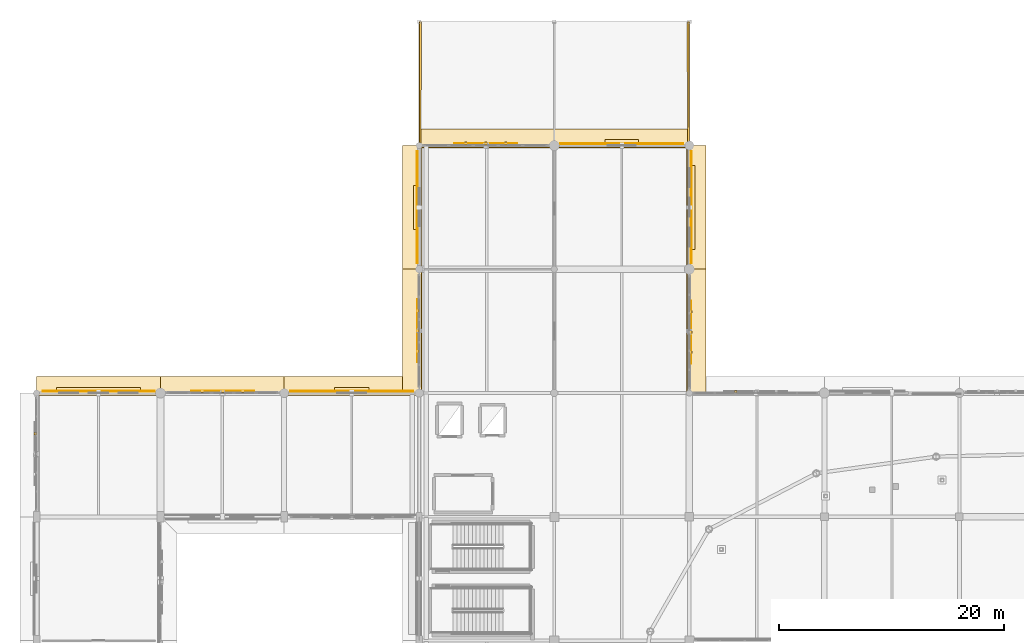
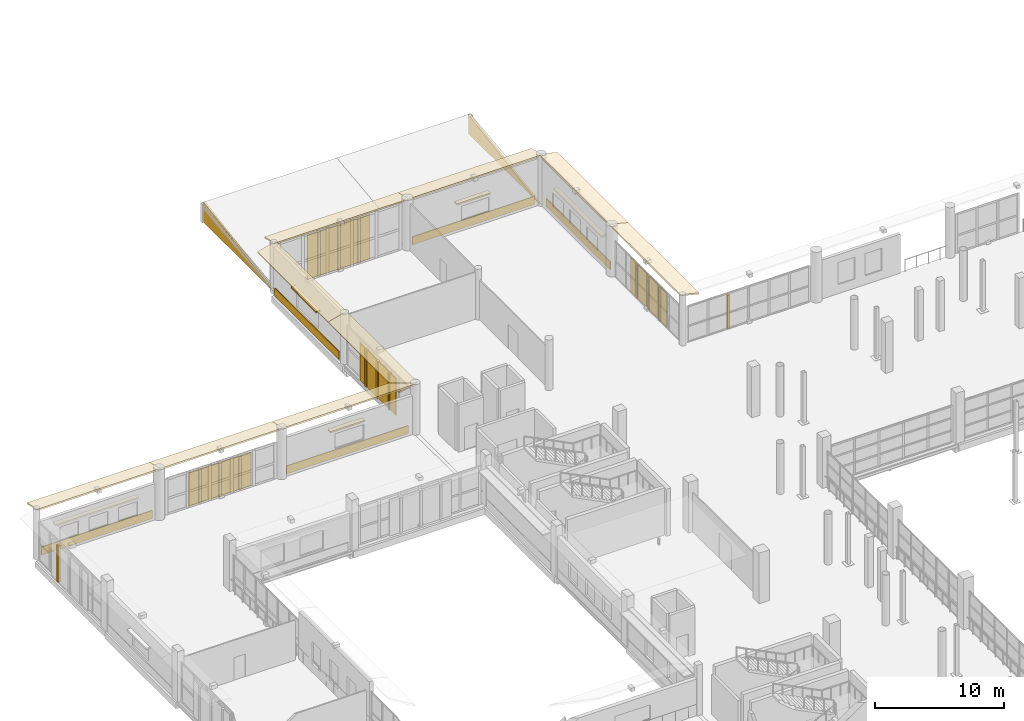
# One storey, part 127 of 143: 35 coverings, 4 shading devices.
"""IFC4 building model written with IfcOpenShell, lengths in metres."""

from ifc_helpers import new_model, si_unit, direction, frame, origin, origin_2d, place, context, subcontext, project, spatial, polyline, rectangle, outline, extrude, material, layer, layer_set, type_object, element, save


model = new_model("IFC4")

# Units and contexts
model_context = context("Model", 3, precision=1e-05, world=origin(), true_north=direction((0.0, 1.0)))
body_context = subcontext(model_context, "Body", "Model", "MODEL_VIEW")
ifc_project = project(units=[si_unit("LENGTHUNIT", "METRE"), si_unit("AREAUNIT", "SQUARE_METRE"), si_unit("VOLUMEUNIT", "CUBIC_METRE"), si_unit("PLANEANGLEUNIT", "RADIAN"), si_unit("MASSUNIT", "GRAM", prefix="KILO")], contexts=[model_context])

# Site, building, storey
site_placement = place(None, origin())
site = spatial("IfcSite", under=ifc_project, at=site_placement, CompositionType="ELEMENT")
building_placement = place(site_placement, origin())
building = spatial("IfcBuilding", under=site, at=building_placement, Name="Luwafu Chhajja Arena", CompositionType="ELEMENT")
storey_placement = place(building_placement, frame((0.0, 0.0, 5.39990234375)))
storey = spatial("IfcBuildingStorey", under=building, at=storey_placement, Name="L01", CompositionType="ELEMENT", Elevation=5.39990234375)

# Coverings
ifc_material_1 = material(Name="Red laterite sandstone cladding", Category="masonry")
ifc_layer_1 = layer(ifc_material_1, 0.074951171875, Name="Red laterite sandstone cladding")
ifc_layer_set_1 = layer_set([ifc_layer_1], Name="Red laterite sandstone cladding")
covering_type = type_object("IfcCoveringType", Name="Dressed Red-Laterite Sandstone Cladding", PredefinedType="CLADDING", material=ifc_layer_set_1)
covering_1_placement = place(storey_placement, frame((34.0, 121.0, 0.0), z_axis=(-0.99976590293, 0.0, 0.021636527854), x_axis=(0.0, 1.0, 0.0)))
element("IfcCovering", 1, at=covering_1_placement, inside=storey, type_object=covering_type, Name="L01 Cloister End Gable Cladding WW", PredefinedType="CLADDING", context=body_context, shape_type="SweptSolid", body=[
    extrude(outline(polyline([(0.0, 0.0), (11.0, 0.0), (11.0, -1.8505308601013986), (0.0, 0.0)])), origin(), (0.0, 0.0, -1.0), 0.159912109375),
])
covering_2_placement = place(storey_placement, frame((58.0, 121.0, 0.0), z_axis=(0.99976590293, 0.0, 0.021636527854), x_axis=(0.0, 1.0, 0.0)))
element("IfcCovering", 2, at=covering_2_placement, inside=storey, type_object=covering_type, Name="L01 Cloister End Gable Cladding WE", PredefinedType="CLADDING", context=body_context, shape_type="SweptSolid", body=[
    extrude(outline(polyline([(0.0, 0.0), (11.0, 0.0), (11.0, 1.8505308601013986), (0.0, 0.0)])), origin(), (0.0, 0.0, -1.0), 0.159912109375),
])
covering_3_placement = place(storey_placement, frame((0.0, 98.800048828125, 4.760009765625), z_axis=(0.0, 0.242502450825, 0.970150793096), x_axis=(1.0, 0.0, 0.0)))
element("IfcCovering", 3, at=covering_3_placement, inside=storey, type_object=covering_type, Name="L01 Continuous Sloped Sandstone Chhajja Eave 0070", PredefinedType="CLADDING", context=body_context, shape_type="SweptSolid", body=[
    extrude(outline(polyline([(0.0, 0.0), (11.0, 0.0), (11.0, 1.731619097341133), (0.0, 1.731619097341133), (0.0, 0.0)])), origin(), (0.0, 0.0, -1.0), 0.1298828125),
])
covering_4_placement = place(storey_placement, frame((5.5, 99.172119140625, 0.0), z_axis=(0.0, 0.0, 1.0), x_axis=(1.0, 0.0, 0.0)))
element("IfcCovering", 4, at=covering_4_placement, inside=storey, type_object=covering_type, Name="L01 Red-Laterite Sandstone Plinth Cladding 010", PredefinedType="CLADDING", context=body_context, shape_type="SweptSolid", body=[
    extrude(rectangle(XDim=9.9599609375, YDim=0.0849609375, at=origin_2d()), origin(), (0.0, 0.0, 1.0), 0.760009765625),
])
covering_5_placement = place(storey_placement, frame((5.5, 99.300048828125, 2.330078125), z_axis=(0.0, 0.0, 1.0), x_axis=(1.0, 0.0, 0.0)))
element("IfcCovering", 5, at=covering_5_placement, inside=storey, type_object=covering_type, Name="L01 Mughal Sandstone Window Chhajja Hood 0010", PredefinedType="CLADDING", context=body_context, shape_type="SweptSolid", body=[
    extrude(rectangle(XDim=7.47998046875, YDim=0.419921875, at=origin_2d()), origin(), (0.0, 0.0, 1.0), 0.139892578125),
])
covering_6_placement = place(storey_placement, frame((-0.110107421875, 95.37939453125, 0.000244140625), z_axis=(0.0, 0.0, 1.0), x_axis=(0.0, 1.0, 0.0)))
element("IfcCovering", 6, at=covering_6_placement, inside=storey, type_object=covering_type, Name="L01 Sandstone Jali Mullion Fin 005", PredefinedType="CLADDING", context=body_context, shape_type="SweptSolid", body=[
    extrude(rectangle(XDim=0.219970703125, YDim=0.239990234375, at=origin_2d()), origin(), (0.0, 0.0, 1.0), 3.45654296875),
])
covering_7_placement = place(storey_placement, frame((11.0, 98.800048828125, 4.760009765625), z_axis=(0.0, 0.242502450825, 0.970150793096), x_axis=(1.0, 0.0, 0.0)))
element("IfcCovering", 7, at=covering_7_placement, inside=storey, type_object=covering_type, Name="L01 Continuous Sloped Sandstone Chhajja Eave 0077", PredefinedType="CLADDING", context=body_context, shape_type="SweptSolid", body=[
    extrude(outline(polyline([(0.0, 0.0), (11.0, 0.0), (11.0, 1.731619097341133), (0.0, 1.731619097341133), (0.0, 0.0)])), origin(), (0.0, 0.0, -1.0), 0.1298828125),
])
for number, where, z_axis, x_axis, name in (
    (8, (14.73291015625, 99.169921875, 0.000244140625), (0.0, 0.0, 1.0), (1.0, 0.0, 0.0), "L01 Sandstone Jali Mullion Fin 008"),
    (9, (16.52490234375, 99.169921875, 0.000244140625), (0.0, 0.0, 1.0), (1.0, 0.0, 0.0), "L01 Sandstone Jali Mullion Fin 008"),
    (10, (18.31689453125, 99.169921875, 0.000244140625), (0.0, 0.0, 1.0), (1.0, 0.0, 0.0), "L01 Sandstone Jali Mullion Fin 008"),
):
    element("IfcCovering", number, at=place(storey_placement, frame(where, z_axis=z_axis, x_axis=x_axis)), inside=storey, type_object=covering_type, Name=name, PredefinedType="CLADDING", context=body_context, shape_type="SweptSolid", body=[
        extrude(rectangle(XDim=0.219970703125, YDim=0.239990234375, at=origin_2d()), origin(), (0.0, 0.0, 1.0), 3.18994140625),
    ])
covering_8_placement = place(storey_placement, frame((22.0, 98.800048828125, 4.760009765625), z_axis=(0.0, 0.242502450825, 0.970150793096), x_axis=(1.0, 0.0, 0.0)))
element("IfcCovering", 11, at=covering_8_placement, inside=storey, type_object=covering_type, Name="L01 Continuous Sloped Sandstone Chhajja Eave 0082", PredefinedType="CLADDING", context=body_context, shape_type="SweptSolid", body=[
    extrude(outline(polyline([(0.0, 0.0), (12.0, 0.0), (12.0, 1.731619097341133), (0.0, 1.731619097341133), (0.0, 0.0)])), origin(), (0.0, 0.0, -1.0), 0.1298828125),
])
covering_9_placement = place(storey_placement, frame((28.0, 99.172119140625, 0.0), z_axis=(0.0, 0.0, 1.0), x_axis=(1.0, 0.0, 0.0)))
element("IfcCovering", 12, at=covering_9_placement, inside=storey, type_object=covering_type, Name="L01 Red-Laterite Sandstone Plinth Cladding 015", PredefinedType="CLADDING", context=body_context, shape_type="SweptSolid", body=[
    extrude(rectangle(XDim=10.9599609375, YDim=0.0849609375, at=origin_2d()), origin(), (0.0, 0.0, 1.0), 0.760009765625),
])
covering_10_placement = place(storey_placement, frame((28.0, 99.300048828125, 2.5302734375), z_axis=(0.0, 0.0, 1.0), x_axis=(1.0, 0.0, 0.0)))
element("IfcCovering", 13, at=covering_10_placement, inside=storey, type_object=covering_type, Name="L01 Mughal Sandstone Window Chhajja Hood 0015", PredefinedType="CLADDING", context=body_context, shape_type="SweptSolid", body=[
    extrude(rectangle(XDim=3.10009765625, YDim=0.419921875, at=origin_2d()), origin(), (0.0, 0.0, 1.0), 0.139892578125),
])
covering_11_placement = place(storey_placement, frame((34.199951171875, 99.0, 4.760009765625), z_axis=(-0.242502450825, 0.0, 0.970150793096), x_axis=(0.0, 1.0, 0.0)))
element("IfcCovering", 14, at=covering_11_placement, inside=storey, type_object=covering_type, Name="L01 Continuous Sloped Sandstone Chhajja Eave 0087", PredefinedType="CLADDING", context=body_context, shape_type="SweptSolid", body=[
    extrude(outline(polyline([(0.0, 0.0), (11.0, 0.0), (11.0, 1.731619097341133), (0.0, 1.731619097341133), (0.0, 0.0)])), origin(), (0.0, 0.0, -1.0), 0.1298828125),
])
for number, where, z_axis, x_axis, name in (
    (15, (33.8701171875, 102.73291015625, 0.0), (0.0, 0.0, 1.0), (0.0, 1.0, 0.0), "L01 Sandstone Jali Mullion Fin 010"),
    (16, (33.8701171875, 104.52490234375, 0.0), (0.0, 0.0, 1.0), (0.0, 1.0, 0.0), "L01 Sandstone Jali Mullion Fin 010"),
    (17, (33.8701171875, 106.31689453125, 0.0), (0.0, 0.0, 1.0), (0.0, 1.0, 0.0), "L01 Sandstone Jali Mullion Fin 010"),
):
    element("IfcCovering", number, at=place(storey_placement, frame(where, z_axis=z_axis, x_axis=x_axis)), inside=storey, type_object=covering_type, Name=name, PredefinedType="CLADDING", context=body_context, shape_type="SweptSolid", body=[
        extrude(rectangle(XDim=0.219970703125, YDim=0.239990234375, at=origin_2d()), origin(), (0.0, 0.0, 1.0), 3.519775390625),
    ])
covering_12_placement = place(storey_placement, frame((34.0, 120.800048828125, 4.760009765625), z_axis=(0.0, 0.242502450825, 0.970150793096), x_axis=(1.0, 0.0, 0.0)))
element("IfcCovering", 18, at=covering_12_placement, inside=storey, type_object=covering_type, Name="L01 Continuous Sloped Sandstone Chhajja Eave 0088", PredefinedType="CLADDING", context=body_context, shape_type="SweptSolid", body=[
    extrude(outline(polyline([(0.0, 0.0), (12.0, 0.0), (12.0, 1.731619097341133), (0.0, 1.731619097341133), (0.0, 0.0)])), origin(), (0.0, 0.0, -1.0), 0.1298828125),
])
for number, where, z_axis, x_axis, name in (
    (19, (38.12060546875, 121.169921875, 0.0), (0.0, 0.0, 1.0), (1.0, 0.0, 0.0), "L01 Sandstone Jali Mullion Fin 011"),
    (20, (39.91259765625, 121.169921875, 0.0), (0.0, 0.0, 1.0), (1.0, 0.0, 0.0), "L01 Sandstone Jali Mullion Fin 011"),
    (21, (41.70458984375, 121.169921875, 0.0), (0.0, 0.0, 1.0), (1.0, 0.0, 0.0), "L01 Sandstone Jali Mullion Fin 011"),
):
    element("IfcCovering", number, at=place(storey_placement, frame(where, z_axis=z_axis, x_axis=x_axis)), inside=storey, type_object=covering_type, Name=name, PredefinedType="CLADDING", context=body_context, shape_type="SweptSolid", body=[
        extrude(rectangle(XDim=0.219970703125, YDim=0.239990234375, at=origin_2d()), origin(), (0.0, 0.0, 1.0), 4.215087890625),
    ])
covering_13_placement = place(storey_placement, frame((34.199951171875, 110.0, 4.760009765625), z_axis=(-0.242502450825, 0.0, 0.970150793096), x_axis=(0.0, 1.0, 0.0)))
element("IfcCovering", 22, at=covering_13_placement, inside=storey, type_object=covering_type, Name="L01 Continuous Sloped Sandstone Chhajja Eave 0089", PredefinedType="CLADDING", context=body_context, shape_type="SweptSolid", body=[
    extrude(outline(polyline([(0.0, 0.0), (11.0, 0.0), (11.0, 1.731619097341133), (0.0, 1.731619097341133), (0.0, 0.0)])), origin(), (0.0, 0.0, -1.0), 0.1298828125),
])
covering_14_placement = place(storey_placement, frame((33.827880859375, 115.5, 0.0), z_axis=(0.0, 0.0, 1.0), x_axis=(0.0, 1.0, 0.0)))
element("IfcCovering", 23, at=covering_14_placement, inside=storey, type_object=covering_type, Name="L01 Red-Laterite Sandstone Plinth Cladding 020", PredefinedType="CLADDING", context=body_context, shape_type="SweptSolid", body=[
    extrude(rectangle(XDim=9.9599609375, YDim=0.0849609375, at=origin_2d()), origin(), (0.0, 0.0, 1.0), 0.760009765625),
])
covering_15_placement = place(storey_placement, frame((33.699951171875, 115.5, 2.68017578125), z_axis=(0.0, 0.0, 1.0), x_axis=(0.0, 1.0, 0.0)))
element("IfcCovering", 24, at=covering_15_placement, inside=storey, type_object=covering_type, Name="L01 Mughal Sandstone Window Chhajja Hood 0019", PredefinedType="CLADDING", context=body_context, shape_type="SweptSolid", body=[
    extrude(rectangle(XDim=3.89990234375, YDim=0.419921875, at=origin_2d()), origin(), (0.0, 0.0, 1.0), 0.139892578125),
])
covering_16_placement = place(storey_placement, frame((57.800048828125, 99.0, 4.760009765625), z_axis=(0.242502450825, 0.0, 0.970150793096), x_axis=(0.0, 1.0, 0.0)))
element("IfcCovering", 25, at=covering_16_placement, inside=storey, type_object=covering_type, Name="L01 Continuous Sloped Sandstone Chhajja Eave 0092", PredefinedType="CLADDING", context=body_context, shape_type="SweptSolid", body=[
    extrude(outline(polyline([(0.0, 0.0), (11.0, 0.0), (11.0, -1.731619097341133), (0.0, -1.731619097341133), (0.0, 0.0)])), origin(), (0.0, 0.0, -1.0), 0.1298828125),
])
for number, where, z_axis, x_axis, name in (
    (26, (58.110107421875, 102.62060546875, 0.000244140625), (0.0, 0.0, 1.0), (0.0, 1.0, 0.0), "L01 Sandstone Jali Mullion Fin 013"),
    (27, (58.110107421875, 104.41259765625, 0.000244140625), (0.0, 0.0, 1.0), (0.0, 1.0, 0.0), "L01 Sandstone Jali Mullion Fin 013"),
    (28, (58.110107421875, 106.20458984375, 0.000244140625), (0.0, 0.0, 1.0), (0.0, 1.0, 0.0), "L01 Sandstone Jali Mullion Fin 013"),
):
    element("IfcCovering", number, at=place(storey_placement, frame(where, z_axis=z_axis, x_axis=x_axis)), inside=storey, type_object=covering_type, Name=name, PredefinedType="CLADDING", context=body_context, shape_type="SweptSolid", body=[
        extrude(rectangle(XDim=0.219970703125, YDim=0.239990234375, at=origin_2d()), origin(), (0.0, 0.0, 1.0), 3.18994140625),
    ])
covering_17_placement = place(storey_placement, frame((46.0, 120.800048828125, 4.760009765625), z_axis=(0.0, 0.242502450825, 0.970150793096), x_axis=(1.0, 0.0, 0.0)))
element("IfcCovering", 29, at=covering_17_placement, inside=storey, type_object=covering_type, Name="L01 Continuous Sloped Sandstone Chhajja Eave 0093", PredefinedType="CLADDING", context=body_context, shape_type="SweptSolid", body=[
    extrude(outline(polyline([(0.0, 0.0), (12.0, 0.0), (12.0, 1.731619097341133), (0.0, 1.731619097341133), (0.0, 0.0)])), origin(), (0.0, 0.0, -1.0), 0.1298828125),
])
covering_18_placement = place(storey_placement, frame((52.0, 121.172119140625, 0.0), z_axis=(0.0, 0.0, 1.0), x_axis=(1.0, 0.0, 0.0)))
element("IfcCovering", 30, at=covering_18_placement, inside=storey, type_object=covering_type, Name="L01 Red-Laterite Sandstone Plinth Cladding 022", PredefinedType="CLADDING", context=body_context, shape_type="SweptSolid", body=[
    extrude(rectangle(XDim=10.9599609375, YDim=0.0849609375, at=origin_2d()), origin(), (0.0, 0.0, 1.0), 0.760009765625),
])
covering_19_placement = place(storey_placement, frame((52.0, 121.300048828125, 2.38037109375), z_axis=(0.0, 0.0, 1.0), x_axis=(1.0, 0.0, 0.0)))
element("IfcCovering", 31, at=covering_19_placement, inside=storey, type_object=covering_type, Name="L01 Mughal Sandstone Window Chhajja Hood 0021", PredefinedType="CLADDING", context=body_context, shape_type="SweptSolid", body=[
    extrude(rectangle(XDim=3.0, YDim=0.419921875, at=origin_2d()), origin(), (0.0, 0.0, 1.0), 0.139892578125),
])
covering_20_placement = place(storey_placement, frame((57.800048828125, 110.0, 4.760009765625), z_axis=(0.242502450825, 0.0, 0.970150793096), x_axis=(0.0, 1.0, 0.0)))
element("IfcCovering", 32, at=covering_20_placement, inside=storey, type_object=covering_type, Name="L01 Continuous Sloped Sandstone Chhajja Eave 0094", PredefinedType="CLADDING", context=body_context, shape_type="SweptSolid", body=[
    extrude(outline(polyline([(0.0, 0.0), (11.0, 0.0), (11.0, -1.731619097341133), (0.0, -1.731619097341133), (0.0, 0.0)])), origin(), (0.0, 0.0, -1.0), 0.1298828125),
])
covering_21_placement = place(storey_placement, frame((58.172119140625, 115.5, 0.0), z_axis=(0.0, 0.0, 1.0), x_axis=(0.0, 1.0, 0.0)))
element("IfcCovering", 33, at=covering_21_placement, inside=storey, type_object=covering_type, Name="L01 Red-Laterite Sandstone Plinth Cladding 023", PredefinedType="CLADDING", context=body_context, shape_type="SweptSolid", body=[
    extrude(rectangle(XDim=9.9599609375, YDim=0.0849609375, at=origin_2d()), origin(), (0.0, 0.0, 1.0), 0.760009765625),
])
covering_22_placement = place(storey_placement, frame((58.300048828125, 115.5, 2.330078125), z_axis=(0.0, 0.0, 1.0), x_axis=(0.0, 1.0, 0.0)))
element("IfcCovering", 34, at=covering_22_placement, inside=storey, type_object=covering_type, Name="L01 Mughal Sandstone Window Chhajja Hood 0022", PredefinedType="CLADDING", context=body_context, shape_type="SweptSolid", body=[
    extrude(rectangle(XDim=7.47998046875, YDim=0.419921875, at=origin_2d()), origin(), (0.0, 0.0, 1.0), 0.139892578125),
])
covering_23_placement = place(storey_placement, frame((62.12060546875, 99.110107421875, 0.000244140625), z_axis=(0.0, 0.0, 1.0), x_axis=(1.0, 0.0, 0.0)))
element("IfcCovering", 35, at=covering_23_placement, inside=storey, type_object=covering_type, Name="L01 Sandstone Jali Mullion Fin 014", PredefinedType="CLADDING", context=body_context, shape_type="SweptSolid", body=[
    extrude(rectangle(XDim=0.219970703125, YDim=0.239990234375, at=origin_2d()), origin(), (0.0, 0.0, 1.0), 3.18994140625),
])

# Shading devices
ifc_material_2 = material(Name="Pierced buff sandstone jali", Category="masonry")
ifc_layer_2 = layer(ifc_material_2, 0.080078125, Name="Pierced buff sandstone jali")
ifc_layer_set_2 = layer_set([ifc_layer_2], Name="Pierced buff sandstone jali")
shading_device_type = type_object("IfcShadingDeviceType", Name="Pierced Buff-Sandstone Jali Screen", PredefinedType="JALOUSIE", material=ifc_layer_set_2)
shading_device_1_placement = place(storey_placement, frame((16.52490234375, 99.169921875, 0.000244140625), z_axis=(0.0, 0.0, 1.0), x_axis=(1.0, 0.0, 0.0)))
element("IfcShadingDevice", 36, at=shading_device_1_placement, inside=storey, type_object=shading_device_type, Name="L01 Pierced Buff-Sandstone Jali Screen 008", PredefinedType="JALOUSIE", context=body_context, shape_type="SweptSolid", body=[
    extrude(rectangle(XDim=5.60009765625, YDim=0.080078125, at=origin_2d()), origin(), (0.0, 0.0, 1.0), 3.18994140625),
])
shading_device_2_placement = place(storey_placement, frame((33.8701171875, 104.52490234375, 0.0), z_axis=(0.0, 0.0, 1.0), x_axis=(0.0, 1.0, 0.0)))
element("IfcShadingDevice", 37, at=shading_device_2_placement, inside=storey, type_object=shading_device_type, Name="L01 Pierced Buff-Sandstone Jali Screen 010", PredefinedType="JALOUSIE", context=body_context, shape_type="SweptSolid", body=[
    extrude(rectangle(XDim=5.60009765625, YDim=0.080078125, at=origin_2d()), origin(), (0.0, 0.0, 1.0), 3.519775390625),
])
shading_device_3_placement = place(storey_placement, frame((39.91259765625, 121.169921875, 0.0), z_axis=(0.0, 0.0, 1.0), x_axis=(1.0, 0.0, 0.0)))
element("IfcShadingDevice", 38, at=shading_device_3_placement, inside=storey, type_object=shading_device_type, Name="L01 Pierced Buff-Sandstone Jali Screen 011", PredefinedType="JALOUSIE", context=body_context, shape_type="SweptSolid", body=[
    extrude(rectangle(XDim=5.60009765625, YDim=0.080078125, at=origin_2d()), origin(), (0.0, 0.0, 1.0), 4.215087890625),
])
shading_device_4_placement = place(storey_placement, frame((58.110107421875, 104.41259765625, 0.000244140625), z_axis=(0.0, 0.0, 1.0), x_axis=(0.0, 1.0, 0.0)))
element("IfcShadingDevice", 39, at=shading_device_4_placement, inside=storey, type_object=shading_device_type, Name="L01 Pierced Buff-Sandstone Jali Screen 013", PredefinedType="JALOUSIE", context=body_context, shape_type="SweptSolid", body=[
    extrude(rectangle(XDim=5.60009765625, YDim=0.080078125, at=origin_2d()), origin(), (0.0, 0.0, 1.0), 3.18994140625),
])

save(model, "model.ifc")
